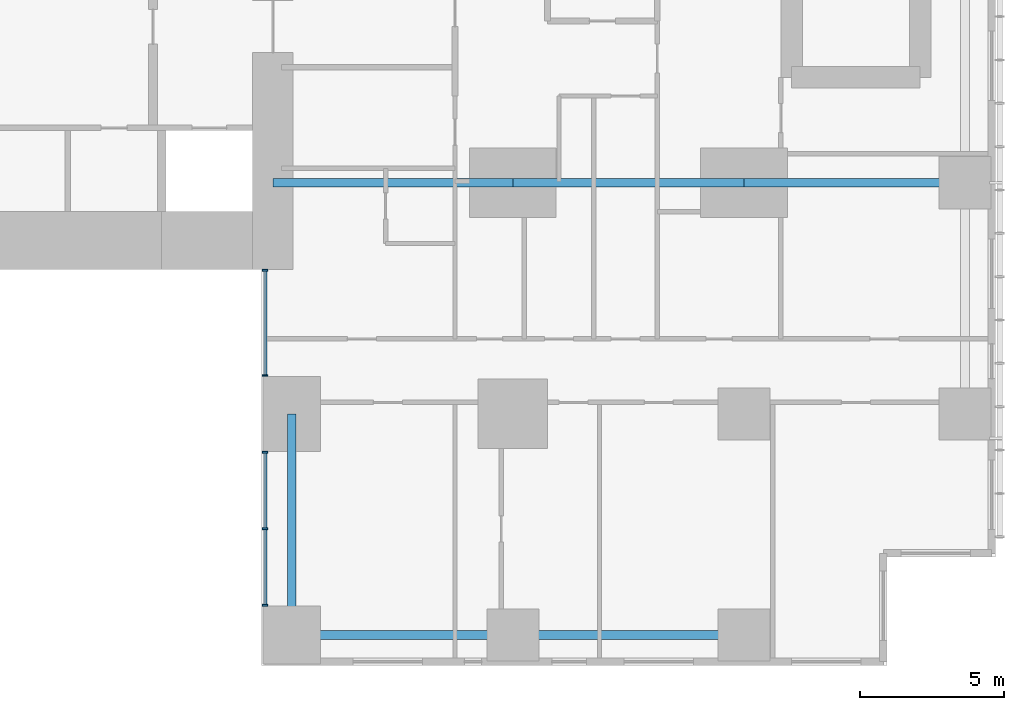
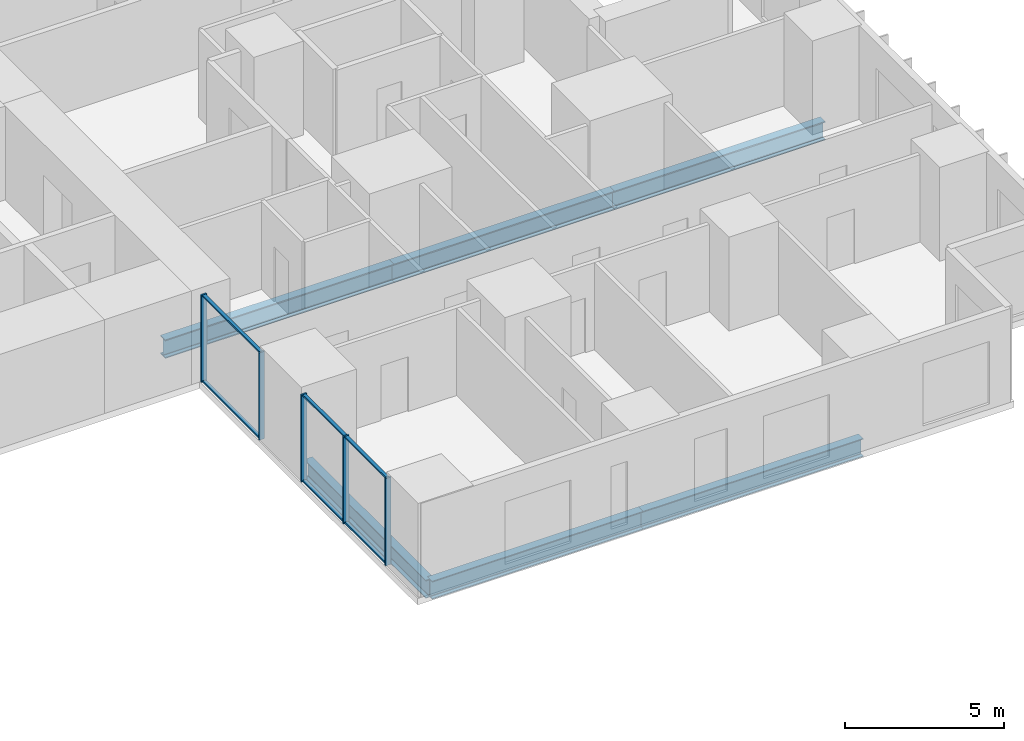
# One storey, part 3 of 20: 11 members, 6 beams, 2 elements without a shape of their own.
"""IFC4 building model written with IfcOpenShell, lengths in metres."""

from ifc_helpers import new_model, si_unit, direction, frame, origin, origin_2d, place, context, subcontext, project, spatial, rectangle, i_section, extrude, material, layer, layer_set, material_profile, profile_set, type_object, element, aggregate, save


model = new_model("IFC4")

# Units and contexts
model_context = context("Model", 3, precision=1e-05, world=origin(), true_north=direction((0.0, 1.0)))
body_context = subcontext(model_context, "Body", "Model", "MODEL_VIEW")
ifc_project = project(units=[si_unit("LENGTHUNIT", "METRE"), si_unit("AREAUNIT", "SQUARE_METRE"), si_unit("VOLUMEUNIT", "CUBIC_METRE"), si_unit("PLANEANGLEUNIT", "RADIAN"), si_unit("MASSUNIT", "GRAM", prefix="KILO")], contexts=[model_context])

# Site, building, storey
site_placement = place(None, origin())
site = spatial("IfcSite", under=ifc_project, at=site_placement, CompositionType="ELEMENT")
building_placement = place(site_placement, origin())
building = spatial("IfcBuilding", under=site, at=building_placement, Name="Cleftline Residences", CompositionType="ELEMENT")
storey_placement = place(building_placement, frame((0.0, 0.0, 196.60009765625)))
storey = spatial("IfcBuildingStorey", under=building, at=storey_placement, Name="L51", CompositionType="ELEMENT", Elevation=196.60009765625)

# Beams
ifc_material_1 = material(Name="Steel S355", Category="steel")
ifc_material_profile_1 = material_profile(ifc_material_1, i_section(OverallWidth=0.300048828125, OverallDepth=0.699951171875, WebThickness=0.01708984375, FlangeThickness=0.031982421875, FilletRadius=0.027099609375, at=origin_2d()))
ifc_profile_set_1 = profile_set([ifc_material_profile_1], Name="Steel S355")
beam_type_1 = type_object("IfcBeamType", Name="BEAM HEB 700", PredefinedType="BEAM", material=ifc_profile_set_1)
beam_1_placement = place(storey_placement, frame((58.0, 0.35009765625, -0.60009765625), z_axis=(-1.0, 0.0, 0.0), x_axis=(0.0, -1.0, 0.0)))
element("IfcBeam", 1, at=beam_1_placement, inside=storey, type_object=beam_type_1, Name="Edge beam", PredefinedType="BEAM", context=body_context, shape_type="SweptSolid", body=[
    extrude(i_section(OverallWidth=0.300048828125, OverallDepth=0.699951171875, WebThickness=0.01708984375, FlangeThickness=0.031982421875, FilletRadius=0.027099609375, at=origin_2d()), origin(), (0.0, 0.0, 1.0), 8.0),
])
for number, where, z_axis, x_axis, name in (
    (2, (50.0, 0.35009765625, -0.60009765625), (-1.0, 0.0, 0.0), (0.0, -1.0, 0.0), "Edge beam"),
    (3, (42.35009765625, 0.35009765625, -0.60009765625), (0.0, 1.0, 0.0), (-1.0, 0.0, 0.0), "Edge beam"),
):
    element("IfcBeam", number, at=place(storey_placement, frame(where, z_axis=z_axis, x_axis=x_axis)), inside=storey, type_object=beam_type_1, Name=name, PredefinedType="BEAM", context=body_context, shape_type="SweptSolid", body=[
        extrude(i_section(OverallWidth=0.300048828125, OverallDepth=0.699951171875, WebThickness=0.01708984375, FlangeThickness=0.031982421875, FilletRadius=0.027099609375, at=origin_2d()), origin(), (0.0, 0.0, 1.0), 7.64990234375),
    ])
ifc_material_2 = material(Name="Steel S355", Category="steel")
ifc_material_profile_2 = material_profile(ifc_material_2, i_section(OverallWidth=0.303955078125, OverallDepth=0.716064453125, WebThickness=0.02099609375, FlangeThickness=0.0400390625, FilletRadius=0.027099609375, at=origin_2d()))
ifc_profile_set_2 = profile_set([ifc_material_profile_2], Name="Steel S355")
beam_type_2 = type_object("IfcBeamType", Name="BEAM HEM 700", PredefinedType="BEAM", material=ifc_profile_set_2)
beam_2_placement = place(storey_placement, frame((65.64990234375, 16.0, -0.608154296875), z_axis=(-1.0, 0.0, 0.0), x_axis=(0.0, -1.0, 0.0)))
element("IfcBeam", 4, at=beam_2_placement, inside=storey, type_object=beam_type_2, Name="Band beam", PredefinedType="BEAM", context=body_context, shape_type="SweptSolid", body=[
    extrude(i_section(OverallWidth=0.303955078125, OverallDepth=0.716064453125, WebThickness=0.02099609375, FlangeThickness=0.0400390625, FilletRadius=0.027099609375, at=origin_2d()), origin(), (0.0, 0.0, 1.0), 7.64990234375),
])
beam_3_placement = place(storey_placement, frame((58.0, 16.0, -0.608154296875), z_axis=(-1.0, 0.0, 0.0), x_axis=(0.0, -1.0, 0.0)))
element("IfcBeam", 5, at=beam_3_placement, inside=storey, type_object=beam_type_2, Name="Band beam", PredefinedType="BEAM", context=body_context, shape_type="SweptSolid", body=[
    extrude(i_section(OverallWidth=0.303955078125, OverallDepth=0.716064453125, WebThickness=0.02099609375, FlangeThickness=0.0400390625, FilletRadius=0.027099609375, at=origin_2d()), origin(), (0.0, 0.0, 1.0), 8.0),
])
beam_4_placement = place(storey_placement, frame((50.0, 16.0, -0.608154296875), z_axis=(-1.0, 0.0, 0.0), x_axis=(0.0, -1.0, 0.0)))
element("IfcBeam", 6, at=beam_4_placement, inside=storey, type_object=beam_type_2, Name="Band beam", PredefinedType="BEAM", context=body_context, shape_type="SweptSolid", body=[
    extrude(i_section(OverallWidth=0.303955078125, OverallDepth=0.716064453125, WebThickness=0.02099609375, FlangeThickness=0.0400390625, FilletRadius=0.027099609375, at=origin_2d()), origin(), (0.0, 0.0, 1.0), 8.300048828125),
])

# Curtain wall, members
ifc_material_3 = material(Name="Aluminium framed curtain wall", Category="aluminium")
ifc_layer = layer(ifc_material_3, 0.199951171875)
ifc_layer_set = layer_set([ifc_layer], Name="CW1 CLEFT GLAZING")
curtain_wall_type = type_object("IfcCurtainWallType", Name="CW1 CLEFT GLAZING", PredefinedType="NOTDEFINED", material=ifc_layer_set)
curtain_wall_1_placement = place(storey_placement, origin())
curtain_wall_1 = element("IfcCurtainWall", 7, at=curtain_wall_1_placement, inside=storey, type_object=curtain_wall_type, Name="Curtain wall CW1", PredefinedType="NOTDEFINED")
ifc_material_4 = material(Name="Aluminium mullion", Category="aluminium")
ifc_material_profile_3 = material_profile(ifc_material_4, rectangle(XDim=0.199951171875, YDim=0.06005859375, at=origin_2d()))
ifc_profile_set_3 = profile_set([ifc_material_profile_3], Name="Aluminium mullion")
member_type_1 = type_object("IfcMemberType", Name="CW1 MULLION", PredefinedType="MULLION", material=ifc_profile_set_3)
member_1_placement = place(storey_placement, frame((41.425048828125, 12.969970703125, 0.0), z_axis=(0.0, 0.0, 1.0), x_axis=(1.0, 0.0, 0.0)))
member_1 = element("IfcMember", 8, at=member_1_placement, type_object=member_type_1, Name="CW1 mullion 1", PredefinedType="MULLION", context=body_context, shape_type="SweptSolid", body=[
    extrude(rectangle(XDim=0.199951171875, YDim=0.06005859375, at=origin_2d()), origin(), (0.0, 0.0, 1.0), 3.349853515625),
])
member_2_placement = place(storey_placement, frame((41.425048828125, 9.330078125, 0.0), z_axis=(0.0, 0.0, 1.0), x_axis=(1.0, 0.0, 0.0)))
member_2 = element("IfcMember", 9, at=member_2_placement, type_object=member_type_1, Name="CW1 mullion 2", PredefinedType="MULLION", context=body_context, shape_type="SweptSolid", body=[
    extrude(rectangle(XDim=0.199951171875, YDim=0.06005859375, at=origin_2d()), origin(), (0.0, 0.0, 1.0), 3.349853515625),
])

curtain_wall_2_placement = place(storey_placement, origin())
curtain_wall_2 = element("IfcCurtainWall", 10, at=curtain_wall_2_placement, inside=storey, type_object=curtain_wall_type, Name="Curtain wall CW1", PredefinedType="NOTDEFINED")
member_3_placement = place(storey_placement, frame((41.425048828125, 6.669921875, 0.0), z_axis=(0.0, 0.0, 1.0), x_axis=(1.0, 0.0, 0.0)))
member_3 = element("IfcMember", 11, at=member_3_placement, type_object=member_type_1, Name="CW1 mullion 1", PredefinedType="MULLION", context=body_context, shape_type="SweptSolid", body=[
    extrude(rectangle(XDim=0.199951171875, YDim=0.06005859375, at=origin_2d()), origin(), (0.0, 0.0, 1.0), 3.349853515625),
])
member_4_placement = place(storey_placement, frame((41.425048828125, 4.02490234375, 0.0), z_axis=(0.0, 0.0, 1.0), x_axis=(1.0, 0.0, 0.0)))
member_4 = element("IfcMember", 12, at=member_4_placement, type_object=member_type_1, Name="CW1 mullion 2", PredefinedType="MULLION", context=body_context, shape_type="SweptSolid", body=[
    extrude(rectangle(XDim=0.199951171875, YDim=0.06005859375, at=origin_2d()), origin(), (0.0, 0.0, 1.0), 3.349853515625),
])
member_5_placement = place(storey_placement, frame((41.425048828125, 1.3798828125, 0.0), z_axis=(0.0, 0.0, 1.0), x_axis=(1.0, 0.0, 0.0)))
member_5 = element("IfcMember", 13, at=member_5_placement, type_object=member_type_1, Name="CW1 mullion 3", PredefinedType="MULLION", context=body_context, shape_type="SweptSolid", body=[
    extrude(rectangle(XDim=0.199951171875, YDim=0.06005859375, at=origin_2d()), origin(), (0.0, 0.0, 1.0), 3.349853515625),
])

# Member
ifc_material_5 = material(Name="Aluminium transom", Category="aluminium")
ifc_material_profile_4 = material_profile(ifc_material_5, rectangle(XDim=0.1201171875, YDim=0.06005859375, at=origin_2d()))
ifc_profile_set_4 = profile_set([ifc_material_profile_4], Name="Aluminium transom")
member_type_2 = type_object("IfcMemberType", Name="CW1 TRANSOM", PredefinedType="USERDEFINED", material=ifc_profile_set_4)
member_6_placement = place(storey_placement, frame((41.425048828125, 12.93994140625, 0.02978515625), z_axis=(0.0, -1.0, 0.0), x_axis=(1.0, 0.0, 0.0)))
member_6 = element("IfcMember", 14, at=member_6_placement, type_object=member_type_2, Name="CW1 transom 1.1", ObjectType="TRANSOM", PredefinedType="USERDEFINED", context=body_context, shape_type="SweptSolid", body=[
    extrude(rectangle(XDim=0.1201171875, YDim=0.06005859375, at=origin_2d()), origin(), (0.0, 0.0, 1.0), 3.579833984375),
])

member_7_placement = place(storey_placement, frame((41.425048828125, 12.93994140625, 3.31982421875), z_axis=(0.0, -1.0, 0.0), x_axis=(1.0, 0.0, 0.0)))
member_7 = element("IfcMember", 15, at=member_7_placement, type_object=member_type_2, Name="CW1 transom 1.2", ObjectType="TRANSOM", PredefinedType="USERDEFINED", context=body_context, shape_type="SweptSolid", body=[
    extrude(rectangle(XDim=0.1201171875, YDim=0.06005859375, at=origin_2d()), origin(), (0.0, 0.0, 1.0), 3.579833984375),
])

aggregate(curtain_wall_1, [member_1, member_2, member_6, member_7])

member_8_placement = place(storey_placement, frame((41.425048828125, 6.639892578125, 0.02978515625), z_axis=(0.0, -1.0, 0.0), x_axis=(1.0, 0.0, 0.0)))
member_8 = element("IfcMember", 16, at=member_8_placement, type_object=member_type_2, Name="CW1 transom 1.1", ObjectType="TRANSOM", PredefinedType="USERDEFINED", context=body_context, shape_type="SweptSolid", body=[
    extrude(rectangle(XDim=0.1201171875, YDim=0.06005859375, at=origin_2d()), origin(), (0.0, 0.0, 1.0), 2.5849609375),
])

member_9_placement = place(storey_placement, frame((41.425048828125, 6.639892578125, 3.31982421875), z_axis=(0.0, -1.0, 0.0), x_axis=(1.0, 0.0, 0.0)))
member_9 = element("IfcMember", 17, at=member_9_placement, type_object=member_type_2, Name="CW1 transom 1.2", ObjectType="TRANSOM", PredefinedType="USERDEFINED", context=body_context, shape_type="SweptSolid", body=[
    extrude(rectangle(XDim=0.1201171875, YDim=0.06005859375, at=origin_2d()), origin(), (0.0, 0.0, 1.0), 2.5849609375),
])

member_10_placement = place(storey_placement, frame((41.425048828125, 3.9951171875, 0.02978515625), z_axis=(0.0, -1.0, 0.0), x_axis=(1.0, 0.0, 0.0)))
member_10 = element("IfcMember", 18, at=member_10_placement, type_object=member_type_2, Name="CW1 transom 2.1", ObjectType="TRANSOM", PredefinedType="USERDEFINED", context=body_context, shape_type="SweptSolid", body=[
    extrude(rectangle(XDim=0.1201171875, YDim=0.06005859375, at=origin_2d()), origin(), (0.0, 0.0, 1.0), 2.585205078125),
])

member_11_placement = place(storey_placement, frame((41.425048828125, 3.9951171875, 3.31982421875), z_axis=(0.0, -1.0, 0.0), x_axis=(1.0, 0.0, 0.0)))
member_11 = element("IfcMember", 19, at=member_11_placement, type_object=member_type_2, Name="CW1 transom 2.2", ObjectType="TRANSOM", PredefinedType="USERDEFINED", context=body_context, shape_type="SweptSolid", body=[
    extrude(rectangle(XDim=0.1201171875, YDim=0.06005859375, at=origin_2d()), origin(), (0.0, 0.0, 1.0), 2.585205078125),
])

aggregate(curtain_wall_2, [member_3, member_4, member_5, member_8, member_9, member_10, member_11])

save(model, "model.ifc")
